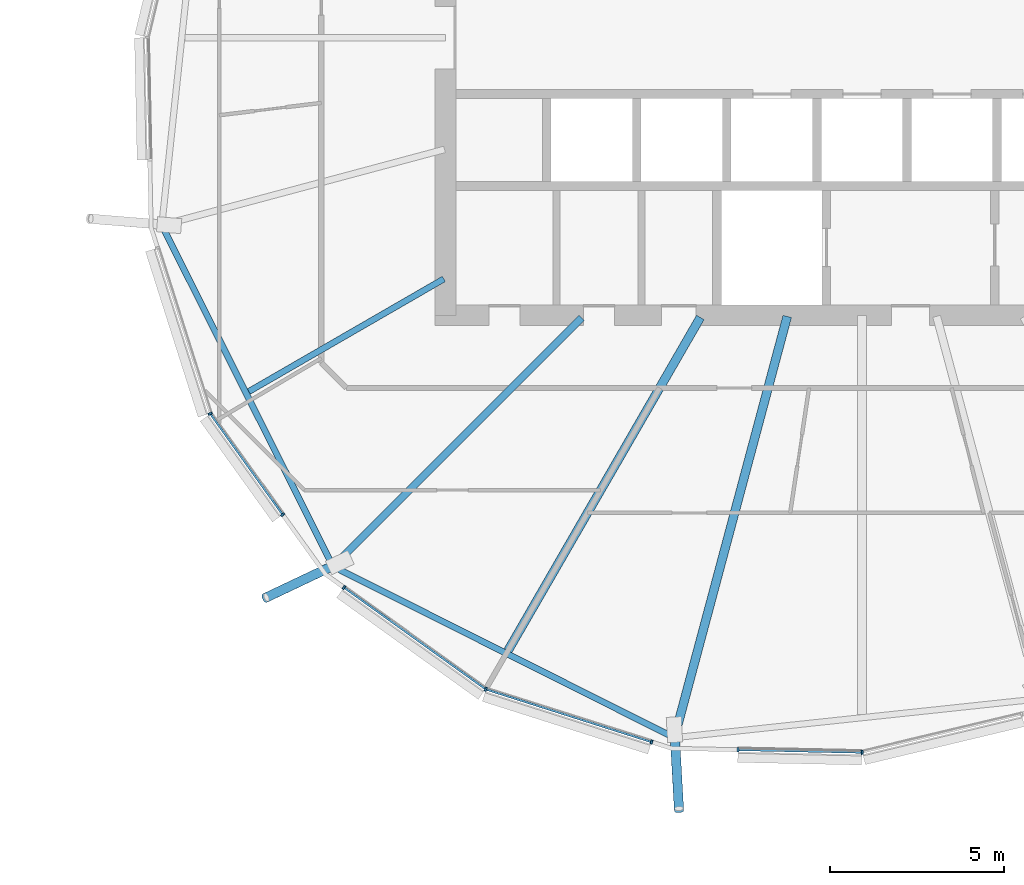
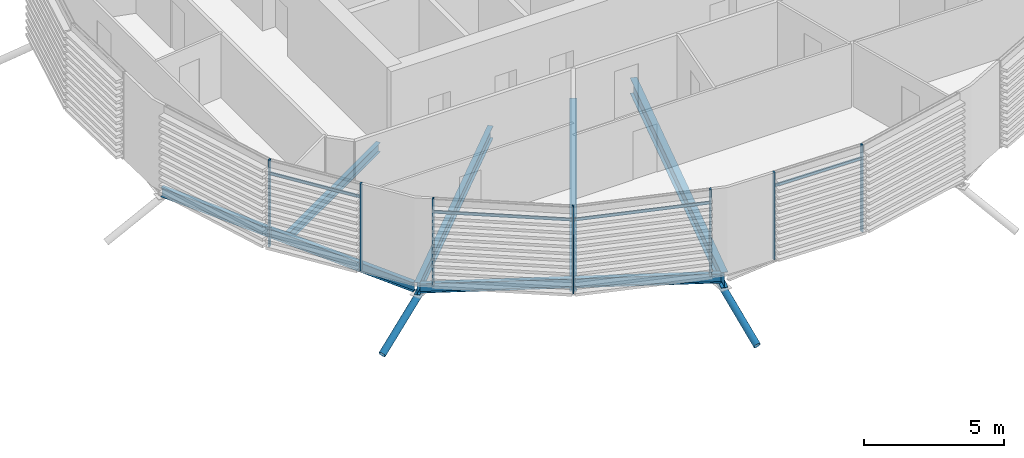
# One storey, part 12 of 38: 13 members, 6 beams, 1 element without a shape of its own.
"""IFC4 building model written with IfcOpenShell, lengths in metres."""

from ifc_helpers import new_model, si_unit, direction, frame, origin, origin_2d, place, context, subcontext, project, spatial, rectangle, hollow_circle, i_section, extrude, clip, halfspace, material, material_profile, profile_set, type_object, element, aggregate, save


model = new_model("IFC4")

# Units and contexts
model_context = context("Model", 3, precision=1e-05, world=origin(), true_north=direction((0.0, 1.0)))
body_context = subcontext(model_context, "Body", "Model", "MODEL_VIEW")
ifc_project = project(units=[si_unit("LENGTHUNIT", "METRE"), si_unit("AREAUNIT", "SQUARE_METRE"), si_unit("VOLUMEUNIT", "CUBIC_METRE"), si_unit("PLANEANGLEUNIT", "RADIAN"), si_unit("MASSUNIT", "GRAM", prefix="KILO")], contexts=[model_context])

# Site, building, storey
site_placement = place(None, origin())
site = spatial("IfcSite", under=ifc_project, at=site_placement, CompositionType="ELEMENT")
building_placement = place(site_placement, origin())
building = spatial("IfcBuilding", under=site, at=building_placement, Name="Rimbun Link Towers", CompositionType="ELEMENT")
storey_placement = place(building_placement, frame((0.0, 0.0, 185.5)))
storey = spatial("IfcBuildingStorey", under=building, at=storey_placement, Name="L45", CompositionType="ELEMENT", Elevation=185.5)

# Curtain wall, members
ifc_material_1 = material(Name="Aluminium 6063-T6 and low-iron glass", Category="aluminium")
curtain_wall_type = type_object("IfcCurtainWallType", Name="CW1-Z3 unitised vision wall (zone 3)", PredefinedType="NOTDEFINED", material=ifc_material_1)
curtain_wall_placement = place(storey_placement, origin())
curtain_wall = element("IfcCurtainWall", 1, at=curtain_wall_placement, inside=storey, type_object=curtain_wall_type, Name="CW1 L45 T2", PredefinedType="NOTDEFINED")
ifc_material_2 = material(Name="Aluminium 6063-T6", Category="aluminium")
ifc_material_profile_1 = material_profile(ifc_material_2, rectangle(XDim=0.1201171875, YDim=0.06005859375, at=origin_2d()), Name="MULLION 60X120")
ifc_profile_set_1 = profile_set([ifc_material_profile_1], Name="Aluminium 6063-T6")
member_type_1 = type_object("IfcMemberType", Name="CW1 mullion 60X120", PredefinedType="MULLION", material=ifc_profile_set_1)
member_1_placement = place(storey_placement, frame((12.974853515625, -10.835693359375, 0.0), z_axis=(0.0, 0.0, 1.0), x_axis=(-0.893747569042, -0.448570265211, 0.0)))
member_1 = element("IfcMember", 2, at=member_1_placement, type_object=member_type_1, Name="CW1 mullion", PredefinedType="MULLION", context=body_context, shape_type="SweptSolid", body=[
    extrude(rectangle(XDim=0.1201171875, YDim=0.06005859375, at=origin_2d()), origin(), (0.0, 0.0, 1.0), 3.800048828125),
])
member_2_placement = place(storey_placement, frame((15.061279296875, -13.744384765625, 0.0), z_axis=(0.0, 0.0, 1.0), x_axis=(-0.81246124987, -0.583015194879, 0.0)))
member_2 = element("IfcMember", 3, at=member_2_placement, type_object=member_type_1, Name="CW1 mullion", PredefinedType="MULLION", context=body_context, shape_type="SweptSolid", body=[
    extrude(rectangle(XDim=0.1201171875, YDim=0.06005859375, at=origin_2d()), origin(), (0.0, 0.0, 1.0), 3.800048828125),
])
member_3_placement = place(storey_placement, frame((20.914306640625, -18.775146484375, 0.0), z_axis=(0.0, 0.0, 1.0), x_axis=(-0.448570265211, -0.893747569042, 0.0)))
member_3 = element("IfcMember", 4, at=member_3_placement, type_object=member_type_1, Name="CW1 mullion", PredefinedType="MULLION", context=body_context, shape_type="SweptSolid", body=[
    extrude(rectangle(XDim=0.1201171875, YDim=0.06005859375, at=origin_2d()), origin(), (0.0, 0.0, 1.0), 3.800048828125),
])
member_4_placement = place(storey_placement, frame((16.82763671875, -15.84326171875, 0.0), z_axis=(0.0, 0.0, 1.0), x_axis=(-0.583015194879, -0.81246124987, 0.0)))
member_4 = element("IfcMember", 5, at=member_4_placement, type_object=member_type_1, Name="CW1 mullion", PredefinedType="MULLION", context=body_context, shape_type="SweptSolid", body=[
    extrude(rectangle(XDim=0.1201171875, YDim=0.06005859375, at=origin_2d()), origin(), (0.0, 0.0, 1.0), 3.800048828125),
])
member_5_placement = place(storey_placement, frame((25.688720703125, -20.294189453125, 0.0), z_axis=(0.0, 0.0, 1.0), x_axis=(-0.303053318374, -0.95297360206, 0.0)))
member_5 = element("IfcMember", 6, at=member_5_placement, type_object=member_type_1, Name="CW1 mullion", PredefinedType="MULLION", context=body_context, shape_type="SweptSolid", body=[
    extrude(rectangle(XDim=0.1201171875, YDim=0.06005859375, at=origin_2d()), origin(), (0.0, 0.0, 1.0), 3.800048828125),
])
member_6_placement = place(storey_placement, frame((31.75634765625, -20.59375, 0.0), z_axis=(0.0, 0.0, 1.0), x_axis=(0.10663447407, -0.99429828972, 0.0)))
member_6 = element("IfcMember", 7, at=member_6_placement, type_object=member_type_1, Name="CW1 mullion", PredefinedType="MULLION", context=body_context, shape_type="SweptSolid", body=[
    extrude(rectangle(XDim=0.1201171875, YDim=0.06005859375, at=origin_2d()), origin(), (0.0, 0.0, 1.0), 3.800048828125),
])
member_7_placement = place(storey_placement, frame((28.177001953125, -20.518798828125, 0.0), z_axis=(0.0, 0.0, 1.0), x_axis=(-0.02106930936, -0.999778017463, 0.0)))
member_7 = element("IfcMember", 8, at=member_7_placement, type_object=member_type_1, Name="CW1 mullion", PredefinedType="MULLION", context=body_context, shape_type="SweptSolid", body=[
    extrude(rectangle(XDim=0.1201171875, YDim=0.06005859375, at=origin_2d()), origin(), (0.0, 0.0, 1.0), 3.800048828125),
])
ifc_material_3 = material(Name="Aluminium 6063-T6", Category="aluminium")
ifc_material_profile_2 = material_profile(ifc_material_3, rectangle(XDim=0.06005859375, YDim=0.1201171875, at=origin_2d()), Name="TRANSOM 60X120")
ifc_profile_set_2 = profile_set([ifc_material_profile_2], Name="Aluminium 6063-T6")
member_type_2 = type_object("IfcMemberType", Name="CW1 transom 60X120", PredefinedType="USERDEFINED", material=ifc_profile_set_2)
member_8_placement = place(storey_placement, frame((15.04541015625, -13.718994140625, 3.199951171875), z_axis=(-0.582973756796, 0.812490983881, 0.0), x_axis=(-0.812490983881, -0.582973756796, 0.0)))
member_8 = element("IfcMember", 9, at=member_8_placement, type_object=member_type_2, Name="CW1 transom", ObjectType="TRANSOM", PredefinedType="USERDEFINED", context=body_context, shape_type="SweptSolid", body=[
    extrude(rectangle(XDim=0.06005859375, YDim=0.1201171875, at=origin_2d()), origin(), (0.0, 0.0, 1.0), 3.51025390625),
])
member_9_placement = place(storey_placement, frame((20.883056640625, -18.7509765625, 3.199951171875), z_axis=(-0.812467801555, 0.583006064665, 0.0), x_axis=(-0.583006064665, -0.812467801555, 0.0)))
member_9 = element("IfcMember", 10, at=member_9_placement, type_object=member_type_2, Name="CW1 transom", ObjectType="TRANSOM", PredefinedType="USERDEFINED", context=body_context, shape_type="SweptSolid", body=[
    extrude(rectangle(XDim=0.06005859375, YDim=0.1201171875, at=origin_2d()), origin(), (0.0, 0.0, 1.0), 4.960205078125),
])
member_10_placement = place(storey_placement, frame((25.660888671875, -20.283203125, 3.199951171875), z_axis=(-0.952965355293, 0.303079249721, 0.0), x_axis=(-0.303079249721, -0.952965355293, 0.0)))
member_10 = element("IfcMember", 11, at=member_10_placement, type_object=member_type_2, Name="CW1 transom", ObjectType="TRANSOM", PredefinedType="USERDEFINED", context=body_context, shape_type="SweptSolid", body=[
    extrude(rectangle(XDim=0.06005859375, YDim=0.1201171875, at=origin_2d()), origin(), (0.0, 0.0, 1.0), 4.941162109375),
])
member_11_placement = place(storey_placement, frame((31.71875, -20.591552734375, 3.199951171875), z_axis=(-0.999776739259, 0.021129875468, 0.0), x_axis=(-0.021129875468, -0.999776739259, 0.0)))
member_11 = element("IfcMember", 12, at=member_11_placement, type_object=member_type_2, Name="CW1 transom", ObjectType="TRANSOM", PredefinedType="USERDEFINED", context=body_context, shape_type="SweptSolid", body=[
    extrude(rectangle(XDim=0.06005859375, YDim=0.1201171875, at=origin_2d()), origin(), (0.0, 0.0, 1.0), 3.512451171875),
])
aggregate(curtain_wall, [member_1, member_2, member_3, member_4, member_5, member_6, member_7, member_8, member_9, member_10, member_11])

# Members
ifc_material_4 = material(Name="Steel S355J2H", Category="steel")
ifc_material_profile_3 = material_profile(ifc_material_4, hollow_circle(Radius=0.136474609375, WallThickness=0.012451171875, at=origin_2d()), Name="CHS 273x12.5")
ifc_profile_set_3 = profile_set([ifc_material_profile_3], Name="Steel S355J2H")
member_type_3 = type_object("IfcMemberType", Name="Floor edge link CHS 273x12.5", PredefinedType="BRACE", material=ifc_profile_set_3)
member_12_placement = place(storey_placement, frame((16.548828125, -15.201171875, -0.8017578125), z_axis=(-0.787900169476, -0.373423338407, -0.489661447607), x_axis=(0.428280675847, -0.903645761732, 0.0)))
element("IfcMember", 13, at=member_12_placement, inside=storey, type_object=member_type_3, Name="Floor edge link T2 L45 12", PredefinedType="BRACE", context=body_context, shape_type="Clipping", body=[
    clip(extrude(hollow_circle(Radius=0.136474609375, WallThickness=0.012451171875, at=origin_2d()), frame((0.0, 0.0, -0.506591796875)), (0.0, 0.0, 1.0), 3.0458984375), halfspace(frame((0.0, 0.0, -0.23828125), z_axis=(0.0, 0.871912648565, -0.489661447607)), False)),
])
member_13_placement = place(storey_placement, frame((26.3583984375, -20.121826171875, -0.952880859375), z_axis=(0.049606993216, -0.876955819714, -0.478003803848), x_axis=(0.998403901646, 0.056476979185, 0.0)))
element("IfcMember", 14, at=member_13_placement, inside=storey, type_object=member_type_3, Name="Floor edge link T2 L45 14", PredefinedType="BRACE", context=body_context, shape_type="Clipping", body=[
    clip(extrude(hollow_circle(Radius=0.136474609375, WallThickness=0.012451171875, at=origin_2d()), frame((0.0, 0.0, -0.522705078125)), (0.0, 0.0, 1.0), 2.968505859375), halfspace(frame((0.0, 0.0, -0.24560546875), z_axis=(0.0, 0.878357765097, -0.478003803848)), False)),
])

# Beams
ifc_material_5 = material(Name="Steel S355J2", Category="steel")
ifc_material_profile_4 = material_profile(ifc_material_5, i_section(OverallWidth=0.177978515625, OverallDepth=0.406494140625, WebThickness=0.0078125, FlangeThickness=0.0126953125, at=origin_2d()), Name="UB 406x178x60")
ifc_profile_set_4 = profile_set([ifc_material_profile_4], Name="Steel S355J2")
beam_type_1 = type_object("IfcBeamType", Name="UB 406x178x60", PredefinedType="BEAM", material=ifc_profile_set_4)
beam_1_placement = place(storey_placement, frame((19.70458984375, -6.954345703125, -0.353271484375), z_axis=(-0.866027670257, -0.499996074333, 0.0), x_axis=(0.499996074333, -0.866027670257, 0.0)))
element("IfcBeam", 15, at=beam_1_placement, inside=storey, type_object=beam_type_1, Name="Radial beam T2 L45 11", PredefinedType="BEAM", context=body_context, shape_type="SweptSolid", body=[
    extrude(i_section(OverallWidth=0.177978515625, OverallDepth=0.406494140625, WebThickness=0.0078125, FlangeThickness=0.0126953125, at=origin_2d()), origin(), (0.0, 0.0, 1.0), 6.48779296875),
])
beam_2_placement = place(storey_placement, frame((11.623779296875, -5.4921875, -0.353271484375), z_axis=(0.448507246366, -0.893779195303, 0.0), x_axis=(0.893779195303, 0.448507246366, 0.0)))
element("IfcBeam", 16, at=beam_2_placement, inside=storey, type_object=beam_type_1, Name="Edge beam T2 L45 10-12", PredefinedType="BEAM", context=body_context, shape_type="SweptSolid", body=[
    extrude(i_section(OverallWidth=0.177978515625, OverallDepth=0.406494140625, WebThickness=0.0078125, FlangeThickness=0.0126953125, at=origin_2d()), origin(), (0.0, 0.0, 1.0), 10.791015625),
])
beam_3_placement = place(storey_placement, frame((16.613037109375, -15.286376953125, -0.353271484375), z_axis=(0.893781784444, -0.448502086725, 0.0), x_axis=(0.448502086725, 0.893781784444, 0.0)))
element("IfcBeam", 17, at=beam_3_placement, inside=storey, type_object=beam_type_1, Name="Edge beam T2 L45 12-14", PredefinedType="BEAM", context=body_context, shape_type="SweptSolid", body=[
    extrude(i_section(OverallWidth=0.177978515625, OverallDepth=0.406494140625, WebThickness=0.0078125, FlangeThickness=0.0126953125, at=origin_2d()), origin(), (0.0, 0.0, 1.0), 10.758544921875),
])
ifc_material_6 = material(Name="Steel S355J2", Category="steel")
ifc_material_profile_5 = material_profile(ifc_material_6, i_section(OverallWidth=0.209228515625, OverallDepth=0.533203125, WebThickness=0.010009765625, FlangeThickness=0.015625, at=origin_2d()), Name="UB 533x210x92")
ifc_profile_set_5 = profile_set([ifc_material_profile_5], Name="Steel S355J2")
beam_type_2 = type_object("IfcBeamType", Name="UB 533x210x92", PredefinedType="BEAM", material=ifc_profile_set_5)
beam_4_placement = place(storey_placement, frame((23.67529296875, -8.07470703125, -0.41650390625), z_axis=(-0.707106781187, -0.707106781187, 0.0), x_axis=(0.707106781187, -0.707106781187, 0.0)))
element("IfcBeam", 18, at=beam_4_placement, inside=storey, type_object=beam_type_2, Name="Radial beam T2 L45 12", PredefinedType="BEAM", context=body_context, shape_type="SweptSolid", body=[
    extrude(i_section(OverallWidth=0.209228515625, OverallDepth=0.533203125, WebThickness=0.010009765625, FlangeThickness=0.015625, at=origin_2d()), origin(), (0.0, 0.0, 1.0), 10.128173828125),
])
ifc_material_7 = material(Name="Steel S355J2", Category="steel")
ifc_material_profile_6 = material_profile(ifc_material_7, i_section(OverallWidth=0.253662109375, OverallDepth=0.68359375, WebThickness=0.012451171875, FlangeThickness=0.01904296875, at=origin_2d()), Name="UB 686x254x140")
ifc_profile_set_6 = profile_set([ifc_material_profile_6], Name="Steel S355J2")
beam_type_3 = type_object("IfcBeamType", Name="UB 686x254x140", PredefinedType="BEAM", material=ifc_profile_set_6)
beam_5_placement = place(storey_placement, frame((27.093994140625, -8.064208984375, -0.49169921875), z_axis=(-0.499983647618, -0.866034844631, 0.0), x_axis=(0.866034844631, -0.499983647618, 0.0)))
element("IfcBeam", 19, at=beam_5_placement, inside=storey, type_object=beam_type_3, Name="Radial beam T2 L45 13", PredefinedType="BEAM", context=body_context, shape_type="SweptSolid", body=[
    extrude(i_section(OverallWidth=0.253662109375, OverallDepth=0.68359375, WebThickness=0.012451171875, FlangeThickness=0.01904296875, at=origin_2d()), origin(), (0.0, 0.0, 1.0), 11.084716796875),
])
beam_6_placement = place(storey_placement, frame((29.597412109375, -8.03369140625, -0.49169921875), z_axis=(-0.258818640731, -0.96592593464, 0.0), x_axis=(0.96592593464, -0.258818640731, 0.0)))
element("IfcBeam", 20, at=beam_6_placement, inside=storey, type_object=beam_type_3, Name="Radial beam T2 L45 14", PredefinedType="BEAM", context=body_context, shape_type="SweptSolid", body=[
    extrude(i_section(OverallWidth=0.253662109375, OverallDepth=0.68359375, WebThickness=0.012451171875, FlangeThickness=0.01904296875, at=origin_2d()), origin(), (0.0, 0.0, 1.0), 12.564697265625),
])

save(model, "model.ifc")
